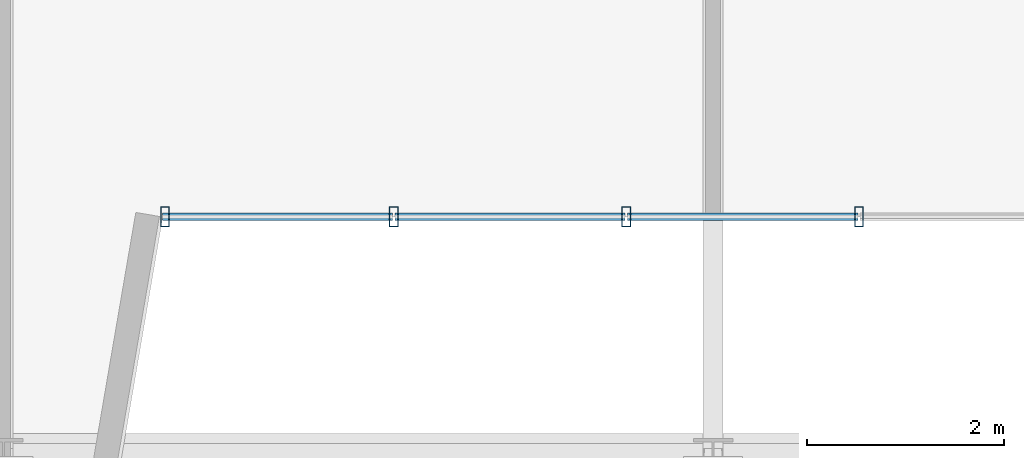
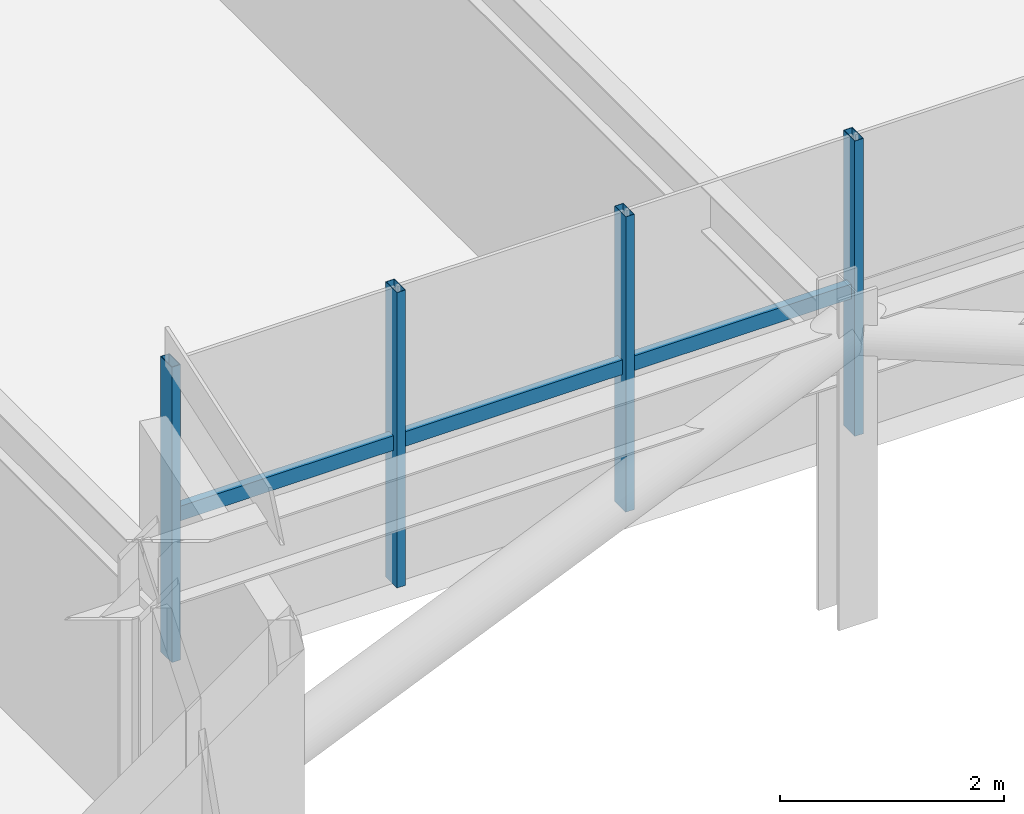
# One storey, part 6 of 26: 7 members, 1 element without a shape of its own.
"""IFC4 building model written with IfcOpenShell, lengths in metres."""

from ifc_helpers import new_model, si_unit, direction, frame, origin, origin_2d, place, context, subcontext, project, spatial, hollow_rectangle, extrude, source, transform, mapped, material, material_profile, profile_set, type_object, element, aggregate, save


model = new_model("IFC4")

# Units and contexts
model_context = context("Model", 3, precision=1e-05, world=origin(), true_north=direction((0.0, 1.0)))
body_context = subcontext(model_context, "Body", "Model", "MODEL_VIEW")
ifc_project = project(units=[si_unit("LENGTHUNIT", "METRE"), si_unit("AREAUNIT", "SQUARE_METRE"), si_unit("VOLUMEUNIT", "CUBIC_METRE"), si_unit("PLANEANGLEUNIT", "RADIAN"), si_unit("MASSUNIT", "GRAM", prefix="KILO")], contexts=[model_context])

# Site, building, storey
site_placement = place(None, origin())
site = spatial("IfcSite", under=ifc_project, at=site_placement, CompositionType="ELEMENT")
building_placement = place(site_placement, origin())
building = spatial("IfcBuilding", under=site, at=building_placement, Name="Trelvane Seafront Commons", CompositionType="ELEMENT")
storey_placement = place(building_placement, frame((0.0, 0.0, 128.5)))
storey = spatial("IfcBuildingStorey", under=building, at=storey_placement, Name="L33", CompositionType="ELEMENT", Elevation=128.5)

# Curtain wall, members
ifc_material = material(Name="Anodised pale-silver aluminium", Category="aluminium")
curtain_wall_type = type_object("IfcCurtainWallType", Name="ARCH-CW3-PORTAL", PredefinedType="NOTDEFINED", material=ifc_material)
curtain_wall_placement = place(storey_placement, origin())
curtain_wall = element("IfcCurtainWall", 1, at=curtain_wall_placement, inside=storey, type_object=curtain_wall_type, Name="CW-L33-VN-0060", PredefinedType="NOTDEFINED")
ifc_material_profile_1 = material_profile(ifc_material, hollow_rectangle(XDim=0.080078125, YDim=0.159912109375, WallThickness=0.00439453125, at=origin_2d()), Name="TRAN-80x160x4.5")
ifc_profile_set_1 = profile_set([ifc_material_profile_1], Name="Anodised pale-silver aluminium")
member_type_1 = type_object("IfcMemberType", Name="ARCH-CW-TRAN-160", PredefinedType="USERDEFINED", material=ifc_profile_set_1)
shared_shape_1 = source(origin(), body_context, "Body", "SweptSolid", [
    extrude(hollow_rectangle(XDim=0.080078125, YDim=0.159912109375, WallThickness=0.00439453125, at=origin_2d()), origin(), (0.0, 0.0, 1.0), 2.3359375),
])
member_1_placement = place(storey_placement, frame((52.468017578125, 6.39990234375, 1.5458984375), z_axis=(-1.0, 0.0, 0.0), x_axis=(0.0, -1.0, 0.0)))
member_1 = element("IfcMember", 2, at=member_1_placement, type_object=member_type_1, Name="CW-L33-VN-0060-T02", ObjectType="TRANSOM", PredefinedType="USERDEFINED", context=body_context, shape_type="MappedRepresentation", body=[
    mapped(shared_shape_1, transform((0.0, 0.0, 0.0), x_axis=(1.0, 0.0, 0.0), y_axis=(0.0, 1.0, 0.0), z_axis=(0.0, 0.0, 1.0), scale=1.0)),
])
member_2_placement = place(storey_placement, frame((50.10791015625, 6.39990234375, 1.5458984375), z_axis=(-1.0, 0.0, 0.0), x_axis=(0.0, -1.0, 0.0)))
member_2 = element("IfcMember", 3, at=member_2_placement, type_object=member_type_1, Name="CW-L33-VN-0060-T03", ObjectType="TRANSOM", PredefinedType="USERDEFINED", context=body_context, shape_type="MappedRepresentation", body=[
    mapped(shared_shape_1, transform((0.0, 0.0, 0.0), x_axis=(1.0, 0.0, 0.0), y_axis=(0.0, 1.0, 0.0), z_axis=(0.0, 0.0, 1.0), scale=1.0)),
])
member_3_placement = place(storey_placement, frame((47.748046875, 6.39990234375, 1.5458984375), z_axis=(-1.0, 0.0, 0.0), x_axis=(0.0, -1.0, 0.0)))
member_3 = element("IfcMember", 4, at=member_3_placement, type_object=member_type_1, Name="CW-L33-VN-0060-T04", ObjectType="TRANSOM", PredefinedType="USERDEFINED", context=body_context, shape_type="MappedRepresentation", body=[
    mapped(shared_shape_1, transform((0.0, 0.0, 0.0), x_axis=(1.0, 0.0, 0.0), y_axis=(0.0, 1.0, 0.0), z_axis=(0.0, 0.0, 1.0), scale=1.0)),
])
ifc_material_profile_2 = material_profile(ifc_material, hollow_rectangle(XDim=0.090087890625, YDim=0.199951171875, WallThickness=0.0048828125, at=origin_2d()), Name="MULL-90x200x5")
ifc_profile_set_2 = profile_set([ifc_material_profile_2], Name="Anodised pale-silver aluminium")
member_type_2 = type_object("IfcMemberType", Name="ARCH-CW-MULL-200", PredefinedType="MULLION", material=ifc_profile_set_2)
shared_shape_2 = source(origin(), body_context, "Body", "SweptSolid", [
    extrude(hollow_rectangle(XDim=0.090087890625, YDim=0.199951171875, WallThickness=0.0048828125, at=origin_2d()), origin(), (0.0, 0.0, 1.0), 3.219970703125),
])
member_4_placement = place(storey_placement, frame((52.47998046875, 6.39990234375, 0.0), z_axis=(0.0, 0.0, 1.0), x_axis=(1.0, 0.0, 0.0)))
member_4 = element("IfcMember", 5, at=member_4_placement, type_object=member_type_2, Name="CW-L33-VN-0060-M02", PredefinedType="MULLION", context=body_context, shape_type="MappedRepresentation", body=[
    mapped(shared_shape_2, transform((0.0, 0.0, 0.0), x_axis=(1.0, 0.0, 0.0), y_axis=(0.0, 1.0, 0.0), z_axis=(0.0, 0.0, 1.0), scale=1.0)),
])
member_5_placement = place(storey_placement, frame((50.1201171875, 6.39990234375, 0.0), z_axis=(0.0, 0.0, 1.0), x_axis=(1.0, 0.0, 0.0)))
member_5 = element("IfcMember", 6, at=member_5_placement, type_object=member_type_2, Name="CW-L33-VN-0060-M03", PredefinedType="MULLION", context=body_context, shape_type="MappedRepresentation", body=[
    mapped(shared_shape_2, transform((0.0, 0.0, 0.0), x_axis=(1.0, 0.0, 0.0), y_axis=(0.0, 1.0, 0.0), z_axis=(0.0, 0.0, 1.0), scale=1.0)),
])
member_6_placement = place(storey_placement, frame((47.760009765625, 6.39990234375, 0.0), z_axis=(0.0, 0.0, 1.0), x_axis=(1.0, 0.0, 0.0)))
member_6 = element("IfcMember", 7, at=member_6_placement, type_object=member_type_2, Name="CW-L33-VN-0060-M04", PredefinedType="MULLION", context=body_context, shape_type="MappedRepresentation", body=[
    mapped(shared_shape_2, transform((0.0, 0.0, 0.0), x_axis=(1.0, 0.0, 0.0), y_axis=(0.0, 1.0, 0.0), z_axis=(0.0, 0.0, 1.0), scale=1.0)),
])
member_7_placement = place(storey_placement, frame((45.43994140625, 6.39990234375, 0.0), z_axis=(0.0, 0.0, 1.0), x_axis=(1.0, 0.0, 0.0)))
member_7 = element("IfcMember", 8, at=member_7_placement, type_object=member_type_2, Name="CW-L33-VN-0060-M05", PredefinedType="MULLION", context=body_context, shape_type="MappedRepresentation", body=[
    mapped(shared_shape_2, transform((0.0, 0.0, 0.0), x_axis=(1.0, 0.0, 0.0), y_axis=(0.0, 1.0, 0.0), z_axis=(0.0, 0.0, 1.0), scale=1.0)),
])
aggregate(curtain_wall, [member_4, member_5, member_6, member_7, member_1, member_2, member_3])

save(model, "model.ifc")
